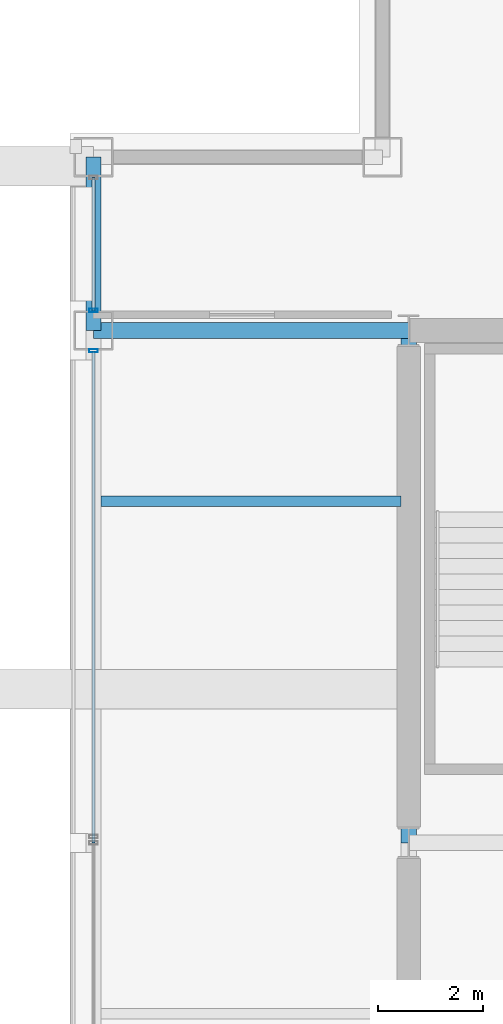
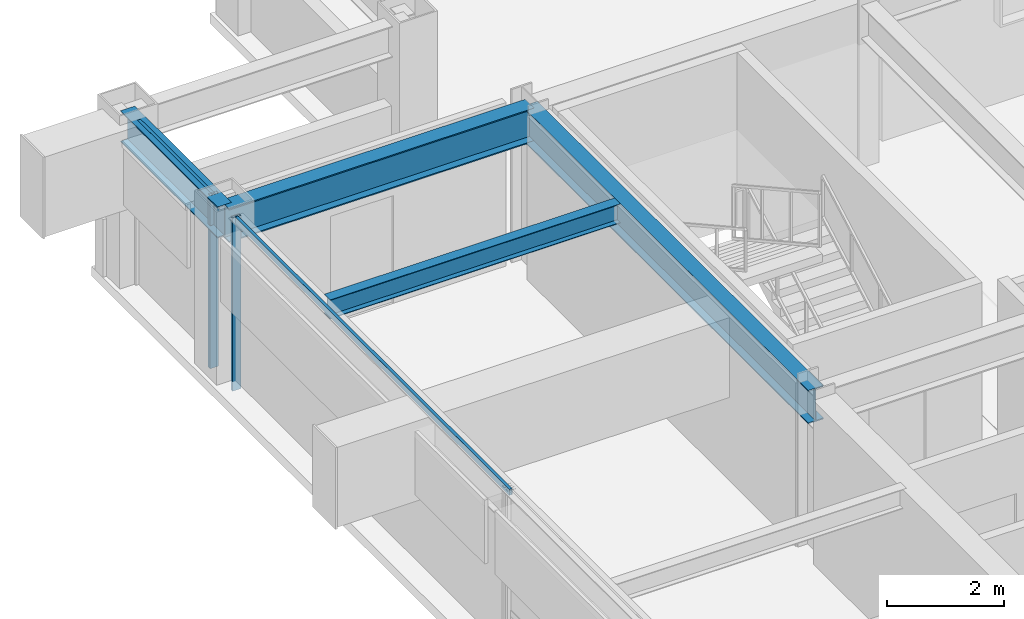
# One storey, part 9 of 28: 4 beams, 4 members, 2 elements without a shape of their own.
"""IFC4 building model written with IfcOpenShell, lengths in metres."""

from ifc_helpers import new_model, si_unit, direction, frame, origin, origin_2d, place, context, subcontext, project, spatial, hollow_rectangle, i_section, extrude, material, layer, layer_set, material_profile, profile_set, type_object, element, aggregate, save


model = new_model("IFC4")

# Units and contexts
model_context = context("Model", 3, precision=1e-05, world=origin(), true_north=direction((0.0, 1.0)))
body_context = subcontext(model_context, "Body", "Model", "MODEL_VIEW")
ifc_project = project(units=[si_unit("LENGTHUNIT", "METRE"), si_unit("AREAUNIT", "SQUARE_METRE"), si_unit("VOLUMEUNIT", "CUBIC_METRE"), si_unit("PLANEANGLEUNIT", "RADIAN"), si_unit("MASSUNIT", "GRAM", prefix="KILO")], contexts=[model_context])

# Site, building, storey
site_placement = place(None, origin())
site = spatial("IfcSite", under=ifc_project, at=site_placement, CompositionType="ELEMENT")
building_placement = place(site_placement, origin())
building = spatial("IfcBuilding", under=site, at=building_placement, Name="Brelmoor Portico Tower", CompositionType="ELEMENT")
storey_placement = place(building_placement, frame((0.0, 0.0, 155.10009765625)))
storey = spatial("IfcBuildingStorey", under=building, at=storey_placement, Name="L40", CompositionType="ELEMENT", Elevation=155.10009765625)

# Beams
ifc_material_1 = material(Name="Steel Q355B", Category="steel")
ifc_material_profile_1 = material_profile(ifc_material_1, i_section(OverallWidth=0.199951171875, OverallDepth=0.39990234375, WebThickness=0.008056640625, FlangeThickness=0.012939453125, at=origin_2d()), Name="HN 400x200x8x13")
ifc_profile_set_1 = profile_set([ifc_material_profile_1], Name="Steel Q355B")
beam_type_1 = type_object("IfcBeamType", Name="BM-JS-400", PredefinedType="JOIST", material=ifc_profile_set_1)
beam_1_placement = place(storey_placement, frame((-20.409912109375, 6.5, 3.199951171875), z_axis=(1.0, 0.0, 0.0), x_axis=(0.0, 1.0, 0.0)))
element("IfcBeam", 1, at=beam_1_placement, inside=storey, type_object=beam_type_1, Name="L40 Secondary Wing Joist JS-W05", PredefinedType="JOIST", context=body_context, shape_type="SweptSolid", body=[
    extrude(i_section(OverallWidth=0.199951171875, OverallDepth=0.39990234375, WebThickness=0.008056640625, FlangeThickness=0.012939453125, at=origin_2d()), origin(), (0.0, 0.0, 1.0), 5.7099609375),
])
ifc_material_profile_2 = material_profile(ifc_material_1, i_section(OverallWidth=0.300048828125, OverallDepth=0.699951171875, WebThickness=0.012939453125, FlangeThickness=0.02392578125, at=origin_2d()), Name="HN 700x300x13x24")
ifc_profile_set_2 = profile_set([ifc_material_profile_2], Name="Steel Q355B")
beam_type_2 = type_object("IfcBeamType", Name="BM-PG-700", PredefinedType="BEAM", material=ifc_profile_set_2)
beam_2_placement = place(storey_placement, frame((-14.550048828125, 0.0, 3.0498046875), z_axis=(0.0, 1.0, 0.0), x_axis=(-1.0, 0.0, 0.0)))
element("IfcBeam", 2, at=beam_2_placement, inside=storey, type_object=beam_type_2, Name="L40 Primary Floor Girder PG-02", PredefinedType="BEAM", context=body_context, shape_type="SweptSolid", body=[
    extrude(i_section(OverallWidth=0.300048828125, OverallDepth=0.699951171875, WebThickness=0.012939453125, FlangeThickness=0.02392578125, at=origin_2d()), origin(), (0.0, 0.0, 1.0), 9.75),
])
beam_3_placement = place(storey_placement, frame((-20.550048828125, 9.75, 3.0498046875), z_axis=(1.0, 0.0, 0.0), x_axis=(0.0, 1.0, 0.0)))
element("IfcBeam", 3, at=beam_3_placement, inside=storey, type_object=beam_type_2, Name="L40 Primary Floor Girder PG-18", PredefinedType="BEAM", context=body_context, shape_type="SweptSolid", body=[
    extrude(i_section(OverallWidth=0.300048828125, OverallDepth=0.699951171875, WebThickness=0.012939453125, FlangeThickness=0.02392578125, at=origin_2d()), origin(), (0.0, 0.0, 1.0), 6.0),
])
ifc_material_profile_3 = material_profile(ifc_material_1, i_section(OverallWidth=0.280029296875, OverallDepth=0.64990234375, WebThickness=0.012939453125, FlangeThickness=0.02197265625, at=origin_2d()), Name="HN 650x280x13x22")
ifc_profile_set_3 = profile_set([ifc_material_profile_3], Name="Steel Q355B")
beam_type_3 = type_object("IfcBeamType", Name="BM-SP-650", PredefinedType="SPANDREL", material=ifc_profile_set_3)
beam_4_placement = place(storey_placement, frame((-20.550048828125, 9.75, 3.074951171875), z_axis=(0.0, 1.0, 0.0), x_axis=(-1.0, 0.0, 0.0)))
element("IfcBeam", 4, at=beam_4_placement, inside=storey, type_object=beam_type_3, Name="L40 Perimeter Spandrel Beam SP-13", PredefinedType="SPANDREL", context=body_context, shape_type="SweptSolid", body=[
    extrude(i_section(OverallWidth=0.280029296875, OverallDepth=0.64990234375, WebThickness=0.012939453125, FlangeThickness=0.02197265625, at=origin_2d()), origin(), (0.0, 0.0, 1.0), 3.300048828125),
])

# Curtain wall, member
ifc_material_2 = material(Name="Anodised Aluminium Alloy 6063-T6", Category="aluminium")
ifc_layer = layer(ifc_material_2, 0.179931640625)
ifc_layer_set = layer_set([ifc_layer], Name="Anodised Aluminium Alloy 6063-T6")
curtain_wall_type = type_object("IfcCurtainWallType", Name="CW-TOWER-Z3-XB", PredefinedType="NOTDEFINED", material=ifc_layer_set)
curtain_wall_1_placement = place(storey_placement, origin())
curtain_wall_1 = element("IfcCurtainWall", 5, at=curtain_wall_1_placement, inside=storey, type_object=curtain_wall_type, Name="L40 Curtain Wall CW-L40-03-2b", PredefinedType="NOTDEFINED")
ifc_material_profile_4 = material_profile(ifc_material_2, hollow_rectangle(XDim=0.06494140625, YDim=0.1650390625, WallThickness=0.00390625, at=origin_2d()), Name="ALU MULLION 65x165")
ifc_profile_set_4 = profile_set([ifc_material_profile_4], Name="Anodised Aluminium Alloy 6063-T6")
member_type_1 = type_object("IfcMemberType", Name="MB-CW-MULL-165", PredefinedType="MULLION", material=ifc_profile_set_4)
member_1_placement = place(storey_placement, frame((-20.550048828125, 9.364990234375, -0.2001953125), z_axis=(0.0, 0.0, 1.0), x_axis=(0.0, 1.0, 0.0)))
member_1 = element("IfcMember", 6, at=member_1_placement, type_object=member_type_1, Name="CW-L40-03-2b Mullion 01", PredefinedType="MULLION", context=body_context, shape_type="SweptSolid", body=[
    extrude(hollow_rectangle(XDim=0.06494140625, YDim=0.1650390625, WallThickness=0.00390625, at=origin_2d()), origin(), (0.0, 0.0, 1.0), 3.60009765625),
])

curtain_wall_2_placement = place(storey_placement, origin())
curtain_wall_2 = element("IfcCurtainWall", 7, at=curtain_wall_2_placement, inside=storey, type_object=curtain_wall_type, Name="L40 Curtain Wall CW-L40-03-3", PredefinedType="NOTDEFINED")
member_2_placement = place(storey_placement, frame((-20.550048828125, 10.135009765625, -0.2001953125), z_axis=(0.0, 0.0, 1.0), x_axis=(0.0, 1.0, 0.0)))
member_2 = element("IfcMember", 8, at=member_2_placement, type_object=member_type_1, Name="CW-L40-03-3 Mullion 00", PredefinedType="MULLION", context=body_context, shape_type="SweptSolid", body=[
    extrude(hollow_rectangle(XDim=0.06494140625, YDim=0.1650390625, WallThickness=0.00390625, at=origin_2d()), origin(), (0.0, 0.0, 1.0), 3.60009765625),
])

# Member
ifc_material_profile_5 = material_profile(ifc_material_2, hollow_rectangle(XDim=0.06005859375, YDim=0.125, WallThickness=0.00341796875, at=origin_2d()), Name="ALU TRANSOM 60x125")
ifc_profile_set_5 = profile_set([ifc_material_profile_5], Name="Anodised Aluminium Alloy 6063-T6")
member_type_2 = type_object("IfcMemberType", Name="MB-CW-TRAN-125", PredefinedType="USERDEFINED", material=ifc_profile_set_5)
member_3_placement = place(storey_placement, frame((-20.550048828125, 0.0, 3.33740234375), z_axis=(0.0, 1.0, 0.0), x_axis=(-1.0, 0.0, 0.0)))
member_3 = element("IfcMember", 9, at=member_3_placement, type_object=member_type_2, Name="CW-L40-03-2b Transom 1-00", ObjectType="TRANSOM", PredefinedType="USERDEFINED", context=body_context, shape_type="SweptSolid", body=[
    extrude(hollow_rectangle(XDim=0.06005859375, YDim=0.125, WallThickness=0.00341796875, at=origin_2d()), origin(), (0.0, 0.0, 1.0), 9.364990234375),
])

aggregate(curtain_wall_1, [member_1, member_3])

member_4_placement = place(storey_placement, frame((-20.550048828125, 10.135009765625, 3.33740234375), z_axis=(0.0, 1.0, 0.0), x_axis=(-1.0, 0.0, 0.0)))
member_4 = element("IfcMember", 10, at=member_4_placement, type_object=member_type_2, Name="CW-L40-03-3 Transom 1-00", ObjectType="TRANSOM", PredefinedType="USERDEFINED", context=body_context, shape_type="SweptSolid", body=[
    extrude(hollow_rectangle(XDim=0.06005859375, YDim=0.125, WallThickness=0.00341796875, at=origin_2d()), origin(), (0.0, 0.0, 1.0), 2.530029296875),
])

aggregate(curtain_wall_2, [member_2, member_4])

save(model, "model.ifc")
